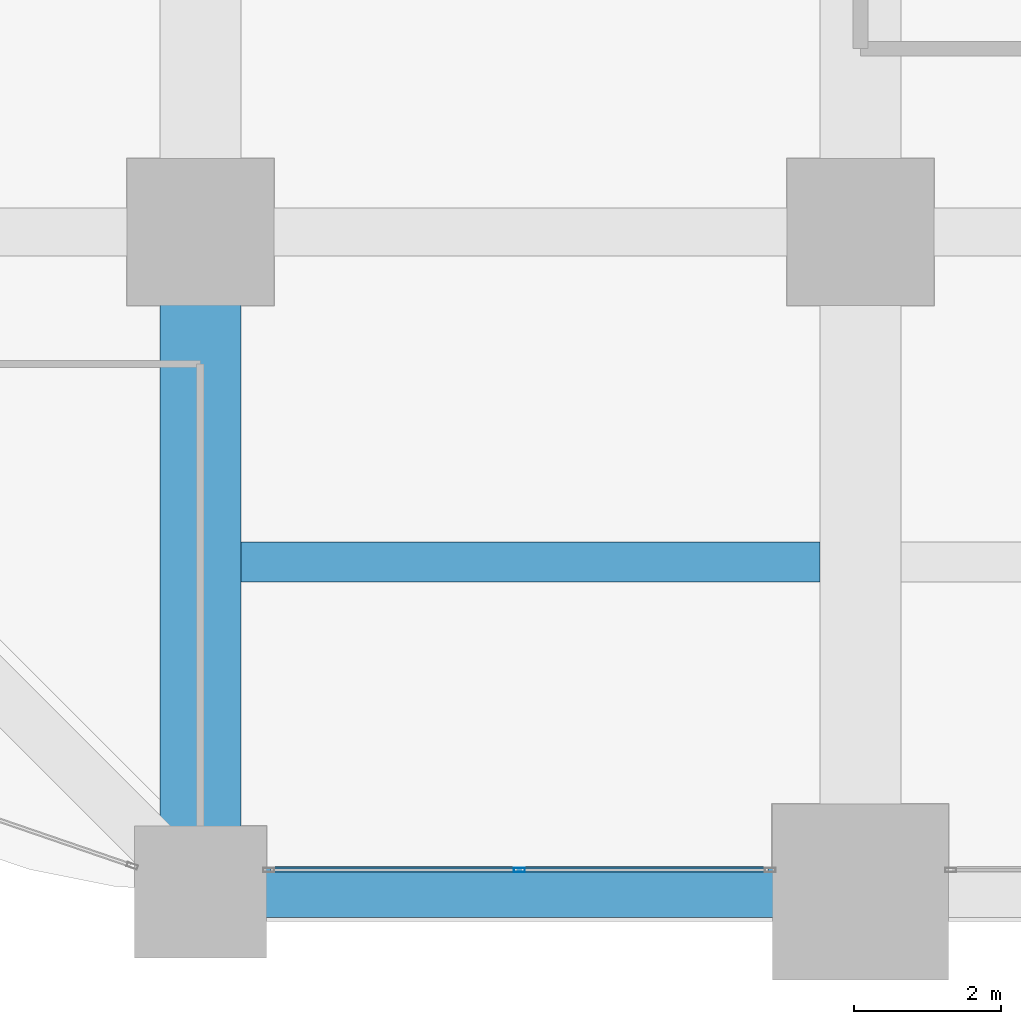
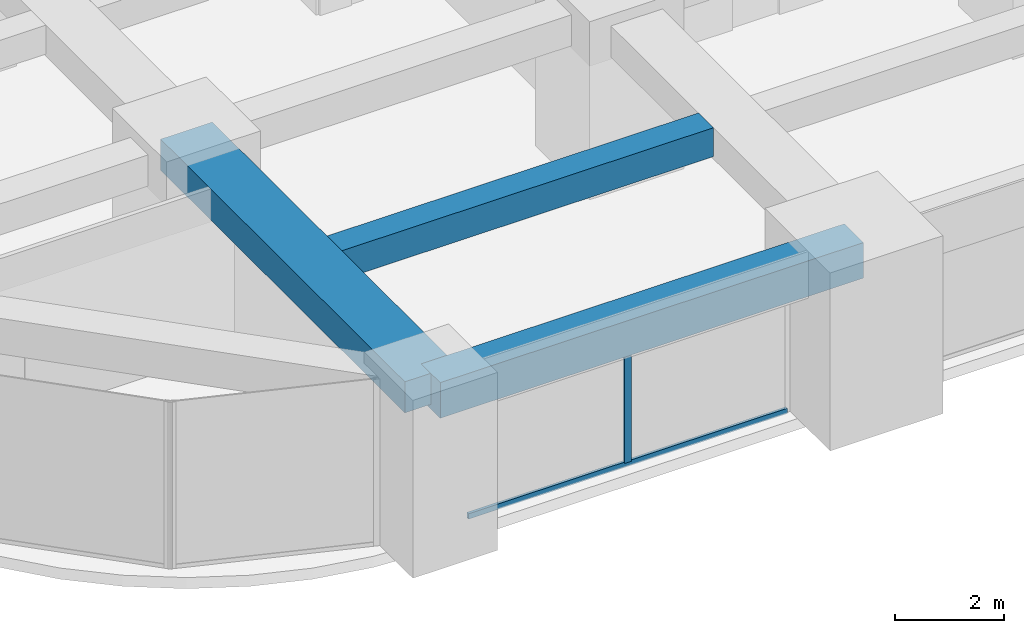
# One storey, part 3 of 40: 3 beams, 2 members, 1 element without a shape of its own.
"""IFC4 building model written with IfcOpenShell, lengths in metres."""

from ifc_helpers import new_model, si_unit, direction, frame, origin, origin_2d, place, context, subcontext, project, spatial, rectangle, hollow_rectangle, extrude, material, material_profile, profile_set, type_object, element, aggregate, save


model = new_model("IFC4")

# Units and contexts
model_context = context("Model", 3, precision=1e-05, world=origin(), true_north=direction((0.0, 1.0)))
body_context = subcontext(model_context, "Body", "Model", "MODEL_VIEW")
ifc_project = project(units=[si_unit("LENGTHUNIT", "METRE"), si_unit("AREAUNIT", "SQUARE_METRE"), si_unit("VOLUMEUNIT", "CUBIC_METRE"), si_unit("PLANEANGLEUNIT", "RADIAN"), si_unit("MASSUNIT", "GRAM", prefix="KILO")], contexts=[model_context])

# Site, building, storey
site_placement = place(None, origin())
site = spatial("IfcSite", under=ifc_project, at=site_placement, CompositionType="ELEMENT")
building_placement = place(site_placement, origin())
building = spatial("IfcBuilding", under=site, at=building_placement, Name="Zorevar Civic Tower", CompositionType="ELEMENT")
storey_placement = place(building_placement, frame((0.0, 0.0, 93.0)))
storey = spatial("IfcBuildingStorey", under=building, at=storey_placement, Name="L22", CompositionType="ELEMENT", Elevation=93.0)

# Beams
ifc_material_1 = material(Name="Concrete C50/60", Category="concrete")
ifc_material_profile_1 = material_profile(ifc_material_1, rectangle(XDim=1.10009765625, YDim=0.699951171875, at=origin_2d()), Name="RC 1100x700")
ifc_profile_set_1 = profile_set([ifc_material_profile_1], Name="Concrete C50/60")
beam_type_1 = type_object("IfcBeamType", Name="Beam RC 1100x700", PredefinedType="BEAM", material=ifc_profile_set_1)
beam_1_placement = place(storey_placement, frame((9.0, 0.0, 3.39990234375), z_axis=(0.0, 1.0, 0.0), x_axis=(-1.0, 0.0, 0.0)))
element("IfcBeam", 1, at=beam_1_placement, inside=storey, type_object=beam_type_1, Name="Girder L23", PredefinedType="BEAM", context=body_context, shape_type="SweptSolid", body=[
    extrude(rectangle(XDim=1.10009765625, YDim=0.699951171875, at=origin_2d()), origin(), (0.0, 0.0, 1.0), 9.0),
])
ifc_material_2 = material(Name="Concrete C50/60", Category="concrete")
ifc_material_profile_2 = material_profile(ifc_material_2, rectangle(XDim=0.550048828125, YDim=0.64990234375, at=origin_2d()), Name="RC 550x650")
ifc_profile_set_2 = profile_set([ifc_material_profile_2], Name="Concrete C50/60")
beam_type_2 = type_object("IfcBeamType", Name="Beam RC 550x650", PredefinedType="BEAM", material=ifc_profile_set_2)
beam_2_placement = place(storey_placement, frame((9.550048828125, 4.5, 3.425048828125), z_axis=(1.0, 0.0, 0.0), x_axis=(0.0, 1.0, 0.0)))
element("IfcBeam", 2, at=beam_2_placement, inside=storey, type_object=beam_type_2, Name="Secondary beam L23", PredefinedType="BEAM", context=body_context, shape_type="SweptSolid", body=[
    extrude(rectangle(XDim=0.550048828125, YDim=0.64990234375, at=origin_2d()), origin(), (0.0, 0.0, 1.0), 7.89990234375),
])

# Curtain wall, members
ifc_material_3 = material(Name="Dark grey solar-control glass in black aluminium frame", Category="aluminium")
curtain_wall_type = type_object("IfcCurtainWallType", Name="Curtain wall CW3 mid zone", PredefinedType="NOTDEFINED", material=ifc_material_3)
curtain_wall_placement = place(storey_placement, origin())
curtain_wall = element("IfcCurtainWall", 3, at=curtain_wall_placement, inside=storey, type_object=curtain_wall_type, Name="CW3 L22", PredefinedType="NOTDEFINED")
ifc_material_4 = material(Name="Aluminium, black anodised", Category="aluminium")
ifc_material_profile_3 = material_profile(ifc_material_4, hollow_rectangle(XDim=0.06005859375, YDim=0.14990234375, WallThickness=0.00390625, at=origin_2d()), Name="AL 150x60x4")
ifc_profile_set_3 = profile_set([ifc_material_profile_3], Name="Aluminium, black anodised")
member_type_1 = type_object("IfcMemberType", Name="CW3 mullion AL 150x60x4", PredefinedType="MULLION", material=ifc_profile_set_3)
member_1_placement = place(storey_placement, frame((13.35009765625, 0.300048828125, 0.06005859375), z_axis=(0.0, 0.0, 1.0), x_axis=(0.0, 1.0, 0.0)))
member_1 = element("IfcMember", 4, at=member_1_placement, type_object=member_type_1, Name="CW3 mullion 2", PredefinedType="MULLION", context=body_context, shape_type="SweptSolid", body=[
    extrude(hollow_rectangle(XDim=0.06005859375, YDim=0.14990234375, WallThickness=0.00390625, at=origin_2d()), origin(), (0.0, 0.0, 1.0), 2.889892578125),
])
ifc_material_5 = material(Name="Aluminium, black anodised", Category="aluminium")
ifc_material_profile_4 = material_profile(ifc_material_5, hollow_rectangle(XDim=0.06005859375, YDim=0.1201171875, WallThickness=0.0029296875, at=origin_2d()), Name="AL 120x60x3")
ifc_profile_set_4 = profile_set([ifc_material_profile_4], Name="Aluminium, black anodised")
member_type_2 = type_object("IfcMemberType", Name="CW3 transom AL 120x60x3", PredefinedType="USERDEFINED", material=ifc_profile_set_4)
member_2_placement = place(storey_placement, frame((9.9599609375, 0.300048828125, 0.030029296875), z_axis=(1.0, 0.0, 0.0), x_axis=(0.0, 1.0, 0.0)))
member_2 = element("IfcMember", 5, at=member_2_placement, type_object=member_type_2, Name="CW3 sill transom", ObjectType="TRANSOM", PredefinedType="USERDEFINED", context=body_context, shape_type="SweptSolid", body=[
    extrude(hollow_rectangle(XDim=0.06005859375, YDim=0.1201171875, WallThickness=0.0029296875, at=origin_2d()), origin(), (0.0, 0.0, 1.0), 6.780029296875),
])
aggregate(curtain_wall, [member_1, member_2])

# Beam
ifc_material_6 = material(Name="Concrete C50/60", Category="concrete")
ifc_material_profile_5 = material_profile(ifc_material_6, rectangle(XDim=0.699951171875, YDim=0.800048828125, at=origin_2d()), Name="RC 700x800")
ifc_profile_set_5 = profile_set([ifc_material_profile_5], Name="Concrete C50/60")
beam_type_3 = type_object("IfcBeamType", Name="Edge beam RC 700x800", PredefinedType="SPANDREL", material=ifc_profile_set_5)
beam_3_placement = place(storey_placement, frame((9.0, 0.0, 3.35009765625), z_axis=(1.0, 0.0, 0.0), x_axis=(0.0, 1.0, 0.0)))
element("IfcBeam", 6, at=beam_3_placement, inside=storey, type_object=beam_type_3, Name="Edge beam L23", PredefinedType="SPANDREL", context=body_context, shape_type="SweptSolid", body=[
    extrude(rectangle(XDim=0.699951171875, YDim=0.800048828125, at=origin_2d()), origin(), (0.0, 0.0, 1.0), 9.0),
])

save(model, "model.ifc")
